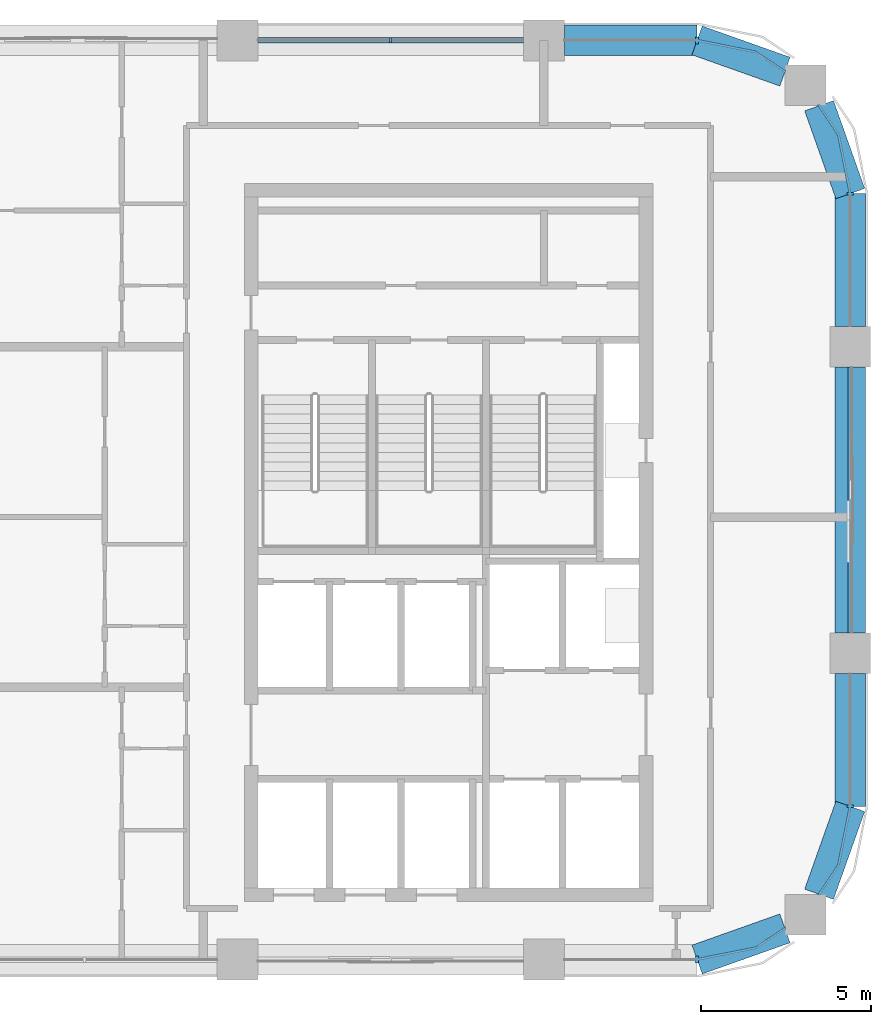
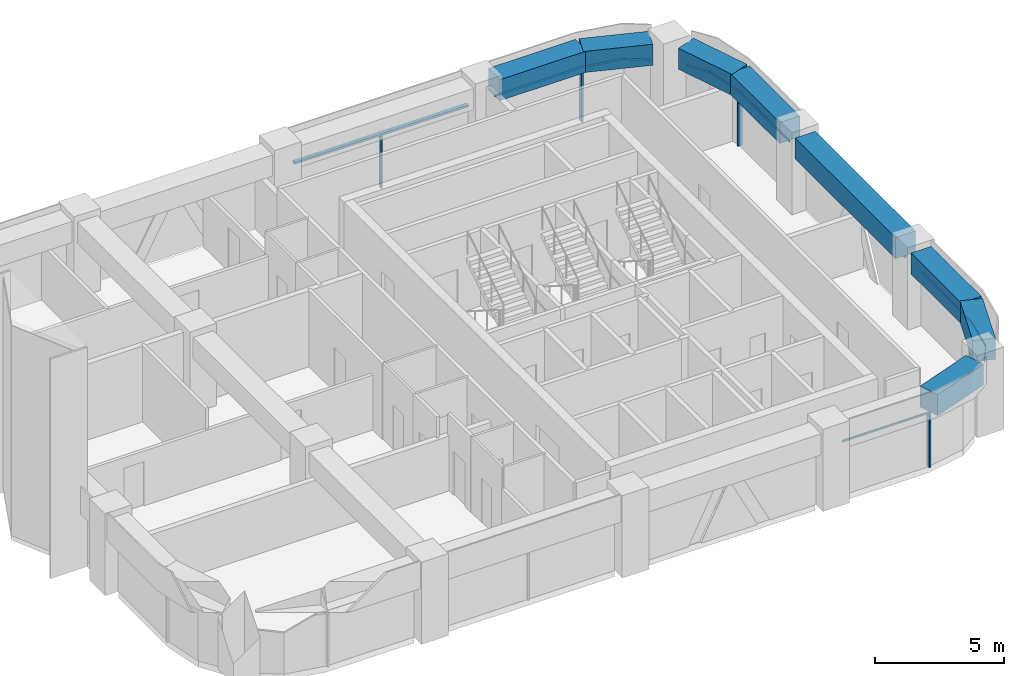
# One storey, part 4 of 10: 11 members, 8 beams, 6 elements without a shape of their own.
"""IFC4 building model written with IfcOpenShell, lengths in metres."""

from ifc_helpers import new_model, si_unit, direction, frame, origin, origin_2d, place, context, subcontext, project, spatial, polyline, rectangle, outline, extrude, material, material_profile, profile_set, type_object, element, aggregate, save


model = new_model("IFC4")

# Units and contexts
model_context = context("Model", 3, precision=1e-05, world=origin(), true_north=direction((0.0, 1.0)))
body_context = subcontext(model_context, "Body", "Model", "MODEL_VIEW")
ifc_project = project(units=[si_unit("LENGTHUNIT", "METRE"), si_unit("AREAUNIT", "SQUARE_METRE"), si_unit("VOLUMEUNIT", "CUBIC_METRE"), si_unit("PLANEANGLEUNIT", "RADIAN"), si_unit("MASSUNIT", "GRAM", prefix="KILO")], contexts=[model_context])

# Site, building, storey
site_placement = place(None, origin())
site = spatial("IfcSite", under=ifc_project, at=site_placement, CompositionType="ELEMENT")
building_placement = place(site_placement, origin())
building = spatial("IfcBuilding", under=site, at=building_placement, Name="Tessera Arch", CompositionType="ELEMENT")
storey_placement = place(building_placement, frame((0.0, 0.0, 238.39990234375)))
storey = spatial("IfcBuildingStorey", under=building, at=storey_placement, Name="L57", CompositionType="ELEMENT", Elevation=238.39990234375)

# Curtain wall, members
ifc_material_1 = material(Name="CW1 curtain wall")
curtain_wall_type_1 = type_object("IfcCurtainWallType", Name="CW1 curtain wall", PredefinedType="NOTDEFINED", material=ifc_material_1)
curtain_wall_1_placement = place(storey_placement, origin())
curtain_wall_1 = element("IfcCurtainWall", 1, at=curtain_wall_1_placement, inside=storey, type_object=curtain_wall_type_1, Name="CW1 curtain wall N54.18/1 L57", PredefinedType="NOTDEFINED")
ifc_material_2 = material(Name="Anodised aluminium pale metal", Category="aluminium")
ifc_material_profile_1 = material_profile(ifc_material_2, rectangle(XDim=0.159912109375, YDim=0.06005859375, at=origin_2d()), Name="AL 60x160")
ifc_profile_set_1 = profile_set([ifc_material_profile_1], Name="Anodised aluminium pale metal")
member_type_1 = type_object("IfcMemberType", Name="CW1 mullion", PredefinedType="MULLION", material=ifc_profile_set_1)
member_1_placement = place(storey_placement, frame((40.5, 54.0, 0.0), z_axis=(0.0, 0.0, 1.0), x_axis=(0.0, -1.0, 0.0)))
member_1 = element("IfcMember", 2, at=member_1_placement, type_object=member_type_1, Name="CW1 mullion N54.18/1 1", PredefinedType="MULLION", context=body_context, shape_type="SweptSolid", body=[
    extrude(rectangle(XDim=0.159912109375, YDim=0.06005859375, at=origin_2d()), origin(), (0.0, 0.0, 1.0), 2.5),
])
ifc_material_3 = material(Name="Anodised aluminium pale metal", Category="aluminium")
ifc_material_profile_2 = material_profile(ifc_material_3, rectangle(XDim=0.159912109375, YDim=0.10009765625, at=origin_2d()), Name="AL 160x100")
ifc_profile_set_2 = profile_set([ifc_material_profile_2], Name="Anodised aluminium pale metal")
member_type_2 = type_object("IfcMemberType", Name="CW1 transom", PredefinedType="USERDEFINED", material=ifc_profile_set_2)
member_2_placement = place(storey_placement, frame((44.39990234375, 54.0, 2.550048828125), z_axis=(-1.0, 0.0, 0.0), x_axis=(0.0, -1.0, 0.0)))
member_2 = element("IfcMember", 3, at=member_2_placement, type_object=member_type_2, Name="CW1 transom N54.18/1 1.1", ObjectType="TRANSOM", PredefinedType="USERDEFINED", context=body_context, shape_type="SweptSolid", body=[
    extrude(rectangle(XDim=0.159912109375, YDim=0.10009765625, at=origin_2d()), origin(), (0.0, 0.0, 1.0), 7.7998046875),
])
aggregate(curtain_wall_1, [member_1, member_2])

# Curtain wall, member
ifc_material_4 = material(Name="CW2 curtain wall")
curtain_wall_type_2 = type_object("IfcCurtainWallType", Name="CW2 curtain wall", PredefinedType="NOTDEFINED", material=ifc_material_4)
curtain_wall_2_placement = place(storey_placement, origin())
curtain_wall_2 = element("IfcCurtainWall", 4, at=curtain_wall_2_placement, inside=storey, type_object=curtain_wall_type_2, Name="CW2 curtain wall E54.27/1 L57", PredefinedType="NOTDEFINED")
ifc_material_5 = material(Name="Anodised aluminium pale metal", Category="aluminium")
ifc_material_profile_3 = material_profile(ifc_material_5, rectangle(XDim=0.199951171875, YDim=0.080078125, at=origin_2d()), Name="AL 80x200")
ifc_profile_set_3 = profile_set([ifc_material_profile_3], Name="Anodised aluminium pale metal")
member_type_3 = type_object("IfcMemberType", Name="CW2 mullion", PredefinedType="MULLION", material=ifc_profile_set_3)
member_3_placement = place(storey_placement, frame((54.0, 49.5, 0.0), z_axis=(0.0, 0.0, 1.0), x_axis=(-1.0, 0.0, 0.0)))
member_3 = element("IfcMember", 5, at=member_3_placement, type_object=member_type_3, Name="CW2 mullion E54.27/1 1", PredefinedType="MULLION", context=body_context, shape_type="SweptSolid", body=[
    extrude(rectangle(XDim=0.199951171875, YDim=0.080078125, at=origin_2d()), origin(), (0.0, 0.0, 1.0), 2.5),
])

curtain_wall_3_placement = place(storey_placement, origin())
curtain_wall_3 = element("IfcCurtainWall", 6, at=curtain_wall_3_placement, inside=storey, type_object=curtain_wall_type_2, Name="CW2 curtain wall N54.18/0 L57", PredefinedType="NOTDEFINED")
member_4_placement = place(storey_placement, frame((49.5, 54.0, 0.0), z_axis=(0.0, 0.0, 1.0), x_axis=(0.0, -1.0, 0.0)))
member_4 = element("IfcMember", 7, at=member_4_placement, type_object=member_type_3, Name="CW2 mullion N54.18/0 1", PredefinedType="MULLION", context=body_context, shape_type="SweptSolid", body=[
    extrude(rectangle(XDim=0.199951171875, YDim=0.080078125, at=origin_2d()), origin(), (0.0, 0.0, 1.0), 2.5),
])

curtain_wall_4_placement = place(storey_placement, origin())
curtain_wall_4 = element("IfcCurtainWall", 8, at=curtain_wall_4_placement, inside=storey, type_object=curtain_wall_type_2, Name="CW2 curtain wall S27.18/3 L57", PredefinedType="NOTDEFINED")
member_5_placement = place(storey_placement, frame((49.5, 27.0, 0.0), z_axis=(0.0, 0.0, 1.0), x_axis=(0.0, 1.0, 0.0)))
member_5 = element("IfcMember", 9, at=member_5_placement, type_object=member_type_3, Name="CW2 mullion S27.18/3 1", PredefinedType="MULLION", context=body_context, shape_type="SweptSolid", body=[
    extrude(rectangle(XDim=0.199951171875, YDim=0.080078125, at=origin_2d()), origin(), (0.0, 0.0, 1.0), 2.5),
])

curtain_wall_5_placement = place(storey_placement, origin())
curtain_wall_5 = element("IfcCurtainWall", 10, at=curtain_wall_5_placement, inside=storey, type_object=curtain_wall_type_2, Name="CW2 curtain wall E54.27/2 L57", PredefinedType="NOTDEFINED")
member_6_placement = place(storey_placement, frame((54.0, 31.5, 0.0), z_axis=(0.0, 0.0, 1.0), x_axis=(-1.0, 0.0, 0.0)))
member_6 = element("IfcMember", 11, at=member_6_placement, type_object=member_type_3, Name="CW2 mullion E54.27/2 1", PredefinedType="MULLION", context=body_context, shape_type="SweptSolid", body=[
    extrude(rectangle(XDim=0.199951171875, YDim=0.080078125, at=origin_2d()), origin(), (0.0, 0.0, 1.0), 2.5),
])

# Member
ifc_material_6 = material(Name="Anodised aluminium pale metal", Category="aluminium")
ifc_material_profile_4 = material_profile(ifc_material_6, rectangle(XDim=0.199951171875, YDim=0.10009765625, at=origin_2d()), Name="AL 200x100")
ifc_profile_set_4 = profile_set([ifc_material_profile_4], Name="Anodised aluminium pale metal")
member_type_4 = type_object("IfcMemberType", Name="CW2 transom", PredefinedType="USERDEFINED", material=ifc_profile_set_4)
member_7_placement = place(storey_placement, frame((0.0, 0.0, 2.5)))
member_7 = element("IfcMember", 12, at=member_7_placement, type_object=member_type_4, Name="CW2 transom E54.27/1 1", ObjectType="TRANSOM", PredefinedType="USERDEFINED", context=body_context, shape_type="SweptSolid", body=[
    extrude(outline(polyline([(53.989990234375, 49.4990234375), (53.989990234375, 45.60009765625), (54.010009765625, 45.60009765625), (54.010009765625, 49.5009765625), (53.6669921875, 51.22607421875), (53.09130859375, 52.087646484375), (53.07470703125, 52.076416015625), (53.648193359375, 51.21826171875), (53.989990234375, 49.4990234375)])), origin(), (0.0, 0.0, 1.0), 0.10009765625),
])

aggregate(curtain_wall_2, [member_3, member_7])

member_8_placement = place(storey_placement, frame((0.0, 0.0, 2.5)))
member_8 = element("IfcMember", 13, at=member_8_placement, type_object=member_type_4, Name="CW2 transom N54.18/0 1", ObjectType="TRANSOM", PredefinedType="USERDEFINED", context=body_context, shape_type="SweptSolid", body=[
    extrude(outline(polyline([(51.21826171875, 53.648193359375), (52.076416015625, 53.07470703125), (52.087646484375, 53.09130859375), (51.22607421875, 53.6669921875), (49.5009765625, 54.010009765625), (45.60009765625, 54.010009765625), (45.60009765625, 53.989990234375), (49.4990234375, 53.989990234375), (51.21826171875, 53.648193359375)])), origin(), (0.0, 0.0, 1.0), 0.10009765625),
])

aggregate(curtain_wall_3, [member_4, member_8])

member_9_placement = place(storey_placement, frame((0.0, 0.0, 2.5)))
member_9 = element("IfcMember", 14, at=member_9_placement, type_object=member_type_4, Name="CW2 transom S27.18/3 1", ObjectType="TRANSOM", PredefinedType="USERDEFINED", context=body_context, shape_type="SweptSolid", body=[
    extrude(outline(polyline([(49.4990234375, 27.010009765625), (45.60009765625, 27.010009765625), (45.60009765625, 26.989990234375), (49.5009765625, 26.989990234375), (51.22607421875, 27.3330078125), (52.087646484375, 27.90869140625), (52.076416015625, 27.92529296875), (51.21826171875, 27.351806640625), (49.4990234375, 27.010009765625)])), origin(), (0.0, 0.0, 1.0), 0.10009765625),
])

aggregate(curtain_wall_4, [member_5, member_9])

member_10_placement = place(storey_placement, frame((0.0, 0.0, 2.5)))
member_10 = element("IfcMember", 15, at=member_10_placement, type_object=member_type_4, Name="CW2 transom E54.27/2 1", ObjectType="TRANSOM", PredefinedType="USERDEFINED", context=body_context, shape_type="SweptSolid", body=[
    extrude(outline(polyline([(53.648193359375, 29.78173828125), (53.07470703125, 28.923583984375), (53.09130859375, 28.912353515625), (53.6669921875, 29.77392578125), (54.010009765625, 31.4990234375), (54.010009765625, 35.39990234375), (53.989990234375, 35.39990234375), (53.989990234375, 31.5009765625), (53.648193359375, 29.78173828125)])), origin(), (0.0, 0.0, 1.0), 0.10009765625),
])

aggregate(curtain_wall_5, [member_6, member_10])

# Curtain wall, member
ifc_material_7 = material(Name="CW3 curtain wall")
curtain_wall_type_3 = type_object("IfcCurtainWallType", Name="CW3 curtain wall", PredefinedType="NOTDEFINED", material=ifc_material_7)
curtain_wall_6_placement = place(storey_placement, origin())
curtain_wall_6 = element("IfcCurtainWall", 16, at=curtain_wall_6_placement, inside=storey, type_object=curtain_wall_type_3, Name="CW3 curtain wall E54.27/0 L57", PredefinedType="NOTDEFINED")
ifc_material_8 = material(Name="Anodised aluminium pale metal", Category="aluminium")
ifc_material_profile_5 = material_profile(ifc_material_8, rectangle(XDim=0.139892578125, YDim=0.10009765625, at=origin_2d()), Name="AL 140x100")
ifc_profile_set_5 = profile_set([ifc_material_profile_5], Name="Anodised aluminium pale metal")
member_type_5 = type_object("IfcMemberType", Name="CW3 transom", PredefinedType="USERDEFINED", material=ifc_profile_set_5)
member_11_placement = place(storey_placement, frame((54.0, 36.60009765625, 2.550048828125), z_axis=(0.0, 1.0, 0.0), x_axis=(-1.0, 0.0, 0.0)))
member_11 = element("IfcMember", 17, at=member_11_placement, type_object=member_type_5, Name="CW3 transom E54.27/0 1.1", ObjectType="TRANSOM", PredefinedType="USERDEFINED", context=body_context, shape_type="SweptSolid", body=[
    extrude(rectangle(XDim=0.139892578125, YDim=0.10009765625, at=origin_2d()), origin(), (0.0, 0.0, 1.0), 7.7998046875),
])
aggregate(curtain_wall_6, [member_11])

# Beams
ifc_material_9 = material(Name="Concrete C60/75", Category="concrete")
ifc_material_profile_6 = material_profile(ifc_material_9, rectangle(XDim=0.89990234375, YDim=1.0, at=origin_2d()), Name="RC spandrel beam 900 x 1000 Concrete C60/75")
ifc_profile_set_6 = profile_set([ifc_material_profile_6], Name="Concrete C60/75")
beam_type = type_object("IfcBeamType", Name="RC spandrel beam 900 x 1000 Concrete C60/75", PredefinedType="BEAM", material=ifc_profile_set_6)
beam_1_placement = place(storey_placement, frame((54.0, 36.60009765625, 3.10009765625), z_axis=(0.0, 1.0, 0.0), x_axis=(-1.0, 0.0, 0.0)))
element("IfcBeam", 18, at=beam_1_placement, inside=storey, type_object=beam_type, Name="Spandrel beam L57 E54.27/0", PredefinedType="BEAM", context=body_context, shape_type="SweptSolid", body=[
    extrude(rectangle(XDim=0.89990234375, YDim=1.0, at=origin_2d()), origin(), (0.0, 0.0, 1.0), 7.7998046875),
])
beam_2_placement = place(storey_placement, frame((54.0, 45.60009765625, 3.10009765625), z_axis=(0.0, 1.0, 0.0), x_axis=(-1.0, 0.0, 0.0)))
element("IfcBeam", 19, at=beam_2_placement, inside=storey, type_object=beam_type, Name="Spandrel beam L57 E54.27/1.1", PredefinedType="BEAM", context=body_context, shape_type="SweptSolid", body=[
    extrude(rectangle(XDim=0.89990234375, YDim=1.0, at=origin_2d()), origin(), (0.0, 0.0, 1.0), 3.89990234375),
])
for number, where, z_axis, x_axis, name in (
    (20, (54.0, 49.5, 3.10009765625), (-0.334665114373, 0.942337127159, 0.0), (-0.942337127159, -0.334665114373, 0.0), "Spandrel beam L57 E54.27/1.2"),
    (21, (52.08203125, 53.0830078125, 3.10009765625), (-0.942337127159, 0.334665114373, 0.0), (-0.334665114373, -0.942337127159, 0.0), "Spandrel beam L57 N54.18/0.1"),
):
    element("IfcBeam", number, at=place(storey_placement, frame(where, z_axis=z_axis, x_axis=x_axis)), inside=storey, type_object=beam_type, Name=name, PredefinedType="BEAM", context=body_context, shape_type="SweptSolid", body=[
        extrude(rectangle(XDim=0.89990234375, YDim=1.0, at=origin_2d()), origin(), (0.0, 0.0, 1.0), 2.739990234375),
    ])
beam_3_placement = place(storey_placement, frame((49.5, 54.0, 3.10009765625), z_axis=(-1.0, 0.0, 0.0), x_axis=(0.0, -1.0, 0.0)))
element("IfcBeam", 22, at=beam_3_placement, inside=storey, type_object=beam_type, Name="Spandrel beam L57 N54.18/0.2", PredefinedType="BEAM", context=body_context, shape_type="SweptSolid", body=[
    extrude(rectangle(XDim=0.89990234375, YDim=1.0, at=origin_2d()), origin(), (0.0, 0.0, 1.0), 3.89990234375),
])
for number, where, z_axis, x_axis, name in (
    (23, (49.5, 27.0, 3.10009765625), (0.942337127159, 0.334665114373, 0.0), (-0.334665114373, 0.942337127159, 0.0), "Spandrel beam L57 S27.18/3.2"),
    (24, (53.0830078125, 28.91796875, 3.10009765625), (0.334665114373, 0.942337127159, 0.0), (-0.942337127159, 0.334665114373, 0.0), "Spandrel beam L57 E54.27/2.1"),
):
    element("IfcBeam", number, at=place(storey_placement, frame(where, z_axis=z_axis, x_axis=x_axis)), inside=storey, type_object=beam_type, Name=name, PredefinedType="BEAM", context=body_context, shape_type="SweptSolid", body=[
        extrude(rectangle(XDim=0.89990234375, YDim=1.0, at=origin_2d()), origin(), (0.0, 0.0, 1.0), 2.739990234375),
    ])
beam_4_placement = place(storey_placement, frame((54.0, 31.5, 3.10009765625), z_axis=(0.0, 1.0, 0.0), x_axis=(-1.0, 0.0, 0.0)))
element("IfcBeam", 25, at=beam_4_placement, inside=storey, type_object=beam_type, Name="Spandrel beam L57 E54.27/2.2", PredefinedType="BEAM", context=body_context, shape_type="SweptSolid", body=[
    extrude(rectangle(XDim=0.89990234375, YDim=1.0, at=origin_2d()), origin(), (0.0, 0.0, 1.0), 3.89990234375),
])

save(model, "model.ifc")
